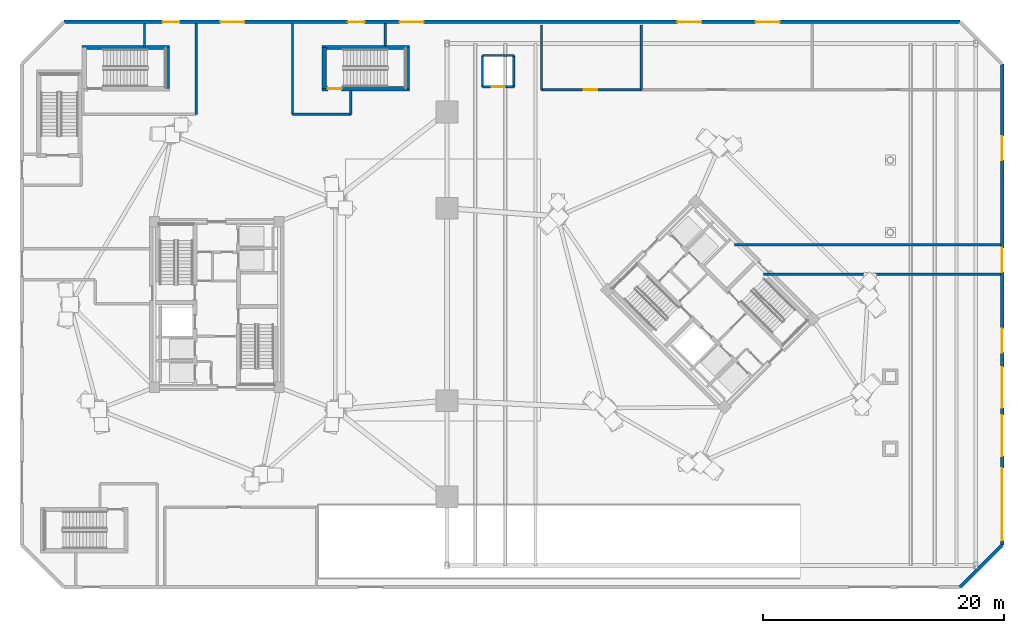
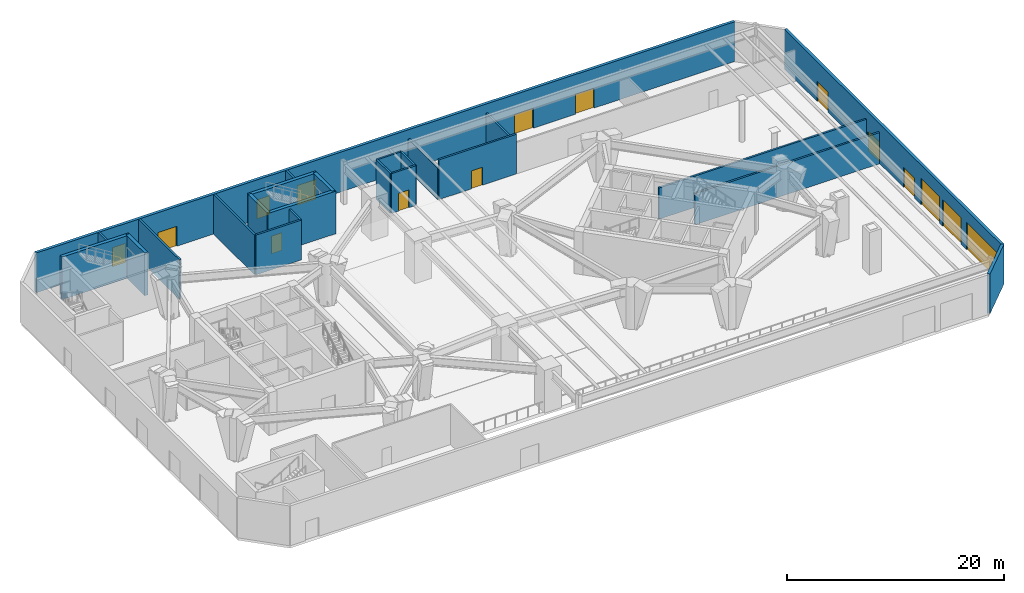
# One storey, part 9 of 17: 24 walls, 15 doors, 15 openings.
"""IFC4 building model written with IfcOpenShell, lengths in metres."""

from ifc_helpers import new_model, si_unit, direction, frame, frame_2d, origin, place, context, subcontext, project, spatial, rectangle, extrude, source, transform, mapped, material, layer, layer_set, type_object, element, fill, save


model = new_model("IFC4")

# Units and contexts
model_context = context("Model", 3, precision=1e-05, world=origin(), true_north=direction((0.0, 1.0)))
body_context = subcontext(model_context, "Body", "Model", "MODEL_VIEW")
ifc_project = project(units=[si_unit("LENGTHUNIT", "METRE"), si_unit("AREAUNIT", "SQUARE_METRE"), si_unit("VOLUMEUNIT", "CUBIC_METRE"), si_unit("PLANEANGLEUNIT", "RADIAN"), si_unit("MASSUNIT", "GRAM", prefix="KILO")], contexts=[model_context])

# Site, building, storey
site_placement = place(None, origin())
site = spatial("IfcSite", under=ifc_project, at=site_placement, CompositionType="ELEMENT")
building_placement = place(site_placement, origin())
building = spatial("IfcBuilding", under=site, at=building_placement, Name="Cununo Teusaquillo Station Towers", CompositionType="ELEMENT")
storey_placement = place(building_placement, origin())
storey = spatial("IfcBuildingStorey", under=building, at=storey_placement, Name="L00", CompositionType="ELEMENT", Elevation=0.0)

# Wall, opening, door
ifc_material_1 = material(Name="Concrete C50/60", Category="concrete")
ifc_layer_1 = layer(ifc_material_1, 0.35009765625)
ifc_layer_set_1 = layer_set([ifc_layer_1], Name="Concrete C50/60")
wall_type_1 = type_object("IfcWallType", Name="WL-CORE-350", PredefinedType="SHEAR", material=ifc_layer_set_1)
wall_1_placement = place(storey_placement, frame((25.260009765625, 42.43505859375, 0.0), z_axis=(0.0, 0.0, 1.0), x_axis=(1.0, 0.0, 0.0)))
wall_1 = element("IfcWall", 1, at=wall_1_placement, inside=storey, type_object=wall_type_1, Name="L00 Podium North Exit Stair Concrete Shaft Wall S", PredefinedType="SHEAR", context=body_context, shape_type="SweptSolid", body=[
    extrude(rectangle(XDim=7.280029296875, YDim=0.35009765625, at=frame_2d((3.64013671875, 0.0))), origin(), (0.0, 0.0, 1.0), 4.800048828125),
])
shared_shape_1 = source(origin(), body_context, "Body", "SweptSolid", [
    extrude(rectangle(XDim=1.14990234375, YDim=2.02001953125, at=frame_2d((0.574951171875, 1.010009765625))), frame((0.0, 0.18505859375, 0.0), z_axis=(0.0, -1.0, 0.0), x_axis=(1.0, 0.0, 0.0)), (0.0, 0.0, 1.0), 0.3701171875),
])
opening_1_placement = place(wall_1_placement, frame((0.47998046875, 0.0, 0.0)))
opening_1 = element("IfcOpeningElement", 2, at=opening_1_placement, cuts=wall_1, Name="Opening D-ST1", PredefinedType="OPENING", context=body_context, shape_type="MappedRepresentation", body=[
    mapped(shared_shape_1, transform((0.0, 0.0, 0.0), x_axis=(1.0, 0.0, 0.0), y_axis=(0.0, 1.0, 0.0), z_axis=(0.0, 0.0, 1.0), scale=1.0)),
])
ifc_material_2 = material(Name="Galvanised fire-rated hollow steel door assembly", Category="steel")
door_type_1 = type_object("IfcDoorType", Name="DR-STAIR-1150", OperationType="NOTDEFINED", PredefinedType="DOOR", material=ifc_material_2)
shared_shape_2 = source(origin(), body_context, "Body", "SweptSolid", [
    extrude(rectangle(XDim=1.14990234375, YDim=2.02001953125, at=frame_2d((0.574951171875, 1.010009765625))), frame((0.0, 0.02490234375, 0.0), z_axis=(0.0, -1.0, 0.0), x_axis=(1.0, 0.0, 0.0)), (0.0, 0.0, 1.0), 0.050048828125),
])
door_1_placement = place(opening_1_placement, origin())
door_1 = element("IfcDoor", 3, at=door_1_placement, inside=storey, type_object=door_type_1, Name="L00 North Podium Exit Stair Door", OperationType="SINGLE_SWING_LEFT", OverallHeight=2.02001953125, OverallWidth=1.14990234375, PredefinedType="DOOR", context=body_context, shape_type="MappedRepresentation", body=[
    mapped(shared_shape_2, transform((0.0, 0.0, 0.0), x_axis=(1.0, 0.0, 0.0), y_axis=(0.0, 1.0, 0.0), z_axis=(0.0, 0.0, 1.0), scale=1.0)),
])
fill(opening_1, door_1)

# Walls
wall_2_placement = place(storey_placement, frame((25.260009765625, 45.864990234375, 0.0), z_axis=(0.0, 0.0, 1.0), x_axis=(1.0, 0.0, 0.0)))
element("IfcWall", 4, at=wall_2_placement, inside=storey, type_object=wall_type_1, Name="L00 Podium North Exit Stair Concrete Shaft Wall N", PredefinedType="SHEAR", context=body_context, shape_type="SweptSolid", body=[
    extrude(rectangle(XDim=7.280029296875, YDim=0.35009765625, at=frame_2d((3.64013671875, 0.0))), origin(), (0.0, 0.0, 1.0), 4.800048828125),
])
for number, where, z_axis, x_axis, name in (
    (5, (25.43505859375, 42.43505859375, 0.0), (0.0, 0.0, 1.0), (0.0, 1.0, 0.0), "L00 Podium North Exit Stair Concrete Shaft Wall W"),
    (6, (32.364990234375, 42.43505859375, 0.0), (0.0, 0.0, 1.0), (0.0, 1.0, 0.0), "L00 Podium North Exit Stair Concrete Shaft Wall E"),
):
    element("IfcWall", number, at=place(storey_placement, frame(where, z_axis=z_axis, x_axis=x_axis)), inside=storey, type_object=wall_type_1, Name=name, PredefinedType="SHEAR", context=body_context, shape_type="SweptSolid", body=[
        extrude(rectangle(XDim=3.429931640625, YDim=0.35009765625, at=frame_2d((1.71484375, 0.0))), origin(), (0.0, 0.0, 1.0), 4.800048828125),
    ])
wall_3_placement = place(storey_placement, frame((5.31005859375, 45.864990234375, 0.0), z_axis=(0.0, 0.0, 1.0), x_axis=(1.0, 0.0, 0.0)))
element("IfcWall", 7, at=wall_3_placement, inside=storey, type_object=wall_type_1, Name="L00 Podium North-West Exit Stair Concrete Shaft Wall N", PredefinedType="SHEAR", context=body_context, shape_type="SweptSolid", body=[
    extrude(rectangle(XDim=7.280029296875, YDim=0.35009765625, at=frame_2d((3.64013671875, 0.0))), origin(), (0.0, 0.0, 1.0), 4.800048828125),
])
wall_4_placement = place(storey_placement, frame((12.4150390625, 42.43505859375, 0.0), z_axis=(0.0, 0.0, 1.0), x_axis=(0.0, 1.0, 0.0)))
element("IfcWall", 8, at=wall_4_placement, inside=storey, type_object=wall_type_1, Name="L00 Podium North-West Exit Stair Concrete Shaft Wall E", PredefinedType="SHEAR", context=body_context, shape_type="SweptSolid", body=[
    extrude(rectangle(XDim=3.429931640625, YDim=0.35009765625, at=frame_2d((1.71484375, 0.0))), origin(), (0.0, 0.0, 1.0), 4.800048828125),
])

# Wall, openings, doors
ifc_material_3 = material(Name="Precast concrete C40/50", Category="concrete")
ifc_layer_2 = layer(ifc_material_3, 0.300048828125)
ifc_layer_set_2 = layer_set([ifc_layer_2], Name="Precast concrete C40/50")
wall_type_2 = type_object("IfcWallType", Name="WL-EXT-300", PredefinedType="SOLIDWALL", material=ifc_layer_set_2)
wall_5_placement = place(storey_placement, frame((3.800048828125, 48.0, 0.0), z_axis=(0.0, 0.0, 1.0), x_axis=(1.0, 0.0, 0.0)))
wall_5 = element("IfcWall", 9, at=wall_5_placement, inside=storey, type_object=wall_type_2, Name="L00 Station Podium Facade Wall 3", PredefinedType="SOLIDWALL", context=body_context, shape_type="SweptSolid", body=[
    extrude(rectangle(XDim=74.5, YDim=0.300048828125, at=frame_2d((37.25, 0.0))), origin(), (0.0, 0.0, 1.0), 4.485107421875),
])
shared_shape_3 = source(origin(), body_context, "Body", "SweptSolid", [
    extrude(rectangle(XDim=1.39990234375, YDim=2.14990234375, at=frame_2d((0.699951171875, 1.074951171875))), frame((0.0, 0.159912109375, 0.0), z_axis=(0.0, -1.0, 0.0), x_axis=(1.0, 0.0, 0.0)), (0.0, 0.0, 1.0), 0.320068359375),
])
opening_2_placement = place(wall_5_placement, frame((8.199951171875, 0.0, 0.0)))
opening_2 = element("IfcOpeningElement", 10, at=opening_2_placement, cuts=wall_5, Name="Opening ED-02", PredefinedType="OPENING", context=body_context, shape_type="MappedRepresentation", body=[
    mapped(shared_shape_3, transform((0.0, 0.0, 0.0), x_axis=(1.0, 0.0, 0.0), y_axis=(0.0, 1.0, 0.0), z_axis=(0.0, 0.0, 1.0), scale=1.0)),
])
shared_shape_4 = source(origin(), body_context, "Body", "SweptSolid", [
    extrude(rectangle(XDim=2.0, YDim=2.25, at=frame_2d((1.0, 1.125))), frame((0.0, 0.159912109375, 0.0), z_axis=(0.0, -1.0, 0.0), x_axis=(1.0, 0.0, 0.0)), (0.0, 0.0, 1.0), 0.320068359375),
])
opening_3_placement = place(wall_5_placement, frame((13.0, 0.0, 0.0)))
opening_3 = element("IfcOpeningElement", 11, at=opening_3_placement, cuts=wall_5, Name="Opening ED-01", PredefinedType="OPENING", context=body_context, shape_type="MappedRepresentation", body=[
    mapped(shared_shape_4, transform((0.0, 0.0, 0.0), x_axis=(1.0, 0.0, 0.0), y_axis=(0.0, 1.0, 0.0), z_axis=(0.0, 0.0, 1.0), scale=1.0)),
])
opening_4_placement = place(wall_5_placement, frame((23.60009765625, 0.0, 0.0)))
opening_4 = element("IfcOpeningElement", 12, at=opening_4_placement, cuts=wall_5, Name="Opening ED-02", PredefinedType="OPENING", context=body_context, shape_type="MappedRepresentation", body=[
    mapped(shared_shape_3, transform((0.0, 0.0, 0.0), x_axis=(1.0, 0.0, 0.0), y_axis=(0.0, 1.0, 0.0), z_axis=(0.0, 0.0, 1.0), scale=1.0)),
])
opening_5_placement = place(wall_5_placement, frame((27.89990234375, 0.0, 0.0)))
opening_5 = element("IfcOpeningElement", 13, at=opening_5_placement, cuts=wall_5, Name="Opening ED-01", PredefinedType="OPENING", context=body_context, shape_type="MappedRepresentation", body=[
    mapped(shared_shape_4, transform((0.0, 0.0, 0.0), x_axis=(1.0, 0.0, 0.0), y_axis=(0.0, 1.0, 0.0), z_axis=(0.0, 0.0, 1.0), scale=1.0)),
])
opening_6_placement = place(wall_5_placement, frame((51.0, 0.0, 0.0)))
opening_6 = element("IfcOpeningElement", 14, at=opening_6_placement, cuts=wall_5, Name="Opening ED-01", PredefinedType="OPENING", context=body_context, shape_type="MappedRepresentation", body=[
    mapped(shared_shape_4, transform((0.0, 0.0, 0.0), x_axis=(1.0, 0.0, 0.0), y_axis=(0.0, 1.0, 0.0), z_axis=(0.0, 0.0, 1.0), scale=1.0)),
])
opening_7_placement = place(wall_5_placement, frame((57.5, 0.0, 0.0)))
opening_7 = element("IfcOpeningElement", 15, at=opening_7_placement, cuts=wall_5, Name="Opening ED-01", PredefinedType="OPENING", context=body_context, shape_type="MappedRepresentation", body=[
    mapped(shared_shape_4, transform((0.0, 0.0, 0.0), x_axis=(1.0, 0.0, 0.0), y_axis=(0.0, 1.0, 0.0), z_axis=(0.0, 0.0, 1.0), scale=1.0)),
])
ifc_material_4 = material(Name="Galvanised fire-rated hollow steel door assembly", Category="steel")
door_type_2 = type_object("IfcDoorType", Name="DR-EXT-STAIR", OperationType="NOTDEFINED", PredefinedType="DOOR", material=ifc_material_4)
shared_shape_5 = source(origin(), body_context, "Body", "SweptSolid", [
    extrude(rectangle(XDim=1.39990234375, YDim=2.14990234375, at=frame_2d((0.699951171875, 1.074951171875))), frame((0.0, 0.02490234375, 0.0), z_axis=(0.0, -1.0, 0.0), x_axis=(1.0, 0.0, 0.0)), (0.0, 0.0, 1.0), 0.050048828125),
])
door_2_placement = place(opening_2_placement, origin())
door_2 = element("IfcDoor", 16, at=door_2_placement, inside=storey, type_object=door_type_2, Name="L00 North-West Protected Exit Passage Final Discharge Door", OperationType="SINGLE_SWING_LEFT", OverallHeight=2.14990234375, OverallWidth=1.39990234375, PredefinedType="DOOR", context=body_context, shape_type="MappedRepresentation", body=[
    mapped(shared_shape_5, transform((0.0, 0.0, 0.0), x_axis=(1.0, 0.0, 0.0), y_axis=(0.0, 1.0, 0.0), z_axis=(0.0, 0.0, 1.0), scale=1.0)),
])
fill(opening_2, door_2)
door_3_placement = place(opening_4_placement, origin())
door_3 = element("IfcDoor", 17, at=door_3_placement, inside=storey, type_object=door_type_2, Name="L00 North Protected Exit Passage Final Discharge Door", OperationType="SINGLE_SWING_LEFT", OverallHeight=2.14990234375, OverallWidth=1.39990234375, PredefinedType="DOOR", context=body_context, shape_type="MappedRepresentation", body=[
    mapped(shared_shape_5, transform((0.0, 0.0, 0.0), x_axis=(1.0, 0.0, 0.0), y_axis=(0.0, 1.0, 0.0), z_axis=(0.0, 0.0, 1.0), scale=1.0)),
])
fill(opening_4, door_3)
ifc_material_5 = material(Name="Anodised dark bronze aluminium EN AW-6063-T6", Category="aluminium")
door_type_3 = type_object("IfcDoorType", Name="DR-EXT-EXIT", OperationType="DOUBLE_DOOR_SINGLE_SWING", PredefinedType="DOOR", material=ifc_material_5)
shared_shape_6 = source(origin(), body_context, "Body", "SweptSolid", [
    extrude(rectangle(XDim=2.0, YDim=2.25, at=frame_2d((1.0, 1.125))), frame((0.0, 0.02490234375, 0.0), z_axis=(0.0, -1.0, 0.0), x_axis=(1.0, 0.0, 0.0)), (0.0, 0.0, 1.0), 0.050048828125),
])
door_4_placement = place(opening_3_placement, origin())
door_4 = element("IfcDoor", 18, at=door_4_placement, inside=storey, type_object=door_type_3, Name="L00 North Ticket Hall Main Entrance 1", OperationType="DOUBLE_DOOR_SINGLE_SWING", OverallHeight=2.25, OverallWidth=2.0, PredefinedType="DOOR", context=body_context, shape_type="MappedRepresentation", body=[
    mapped(shared_shape_6, transform((0.0, 0.0, 0.0), x_axis=(1.0, 0.0, 0.0), y_axis=(0.0, 1.0, 0.0), z_axis=(0.0, 0.0, 1.0), scale=1.0)),
])
fill(opening_3, door_4)
door_5_placement = place(opening_5_placement, origin())
door_5 = element("IfcDoor", 19, at=door_5_placement, inside=storey, type_object=door_type_3, Name="L00 North Ticket Hall Main Entrance 2", OperationType="DOUBLE_DOOR_SINGLE_SWING", OverallHeight=2.25, OverallWidth=2.0, PredefinedType="DOOR", context=body_context, shape_type="MappedRepresentation", body=[
    mapped(shared_shape_6, transform((0.0, 0.0, 0.0), x_axis=(1.0, 0.0, 0.0), y_axis=(0.0, 1.0, 0.0), z_axis=(0.0, 0.0, 1.0), scale=1.0)),
])
fill(opening_5, door_5)
door_6_placement = place(opening_6_placement, origin())
door_6 = element("IfcDoor", 20, at=door_6_placement, inside=storey, type_object=door_type_3, Name="L00 North-East Transit Foyer Entrance 1", OperationType="DOUBLE_DOOR_SINGLE_SWING", OverallHeight=2.25, OverallWidth=2.0, PredefinedType="DOOR", context=body_context, shape_type="MappedRepresentation", body=[
    mapped(shared_shape_6, transform((0.0, 0.0, 0.0), x_axis=(1.0, 0.0, 0.0), y_axis=(0.0, 1.0, 0.0), z_axis=(0.0, 0.0, 1.0), scale=1.0)),
])
fill(opening_6, door_6)
door_7_placement = place(opening_7_placement, origin())
door_7 = element("IfcDoor", 21, at=door_7_placement, inside=storey, type_object=door_type_3, Name="L00 North-East Transit Foyer Entrance 2", OperationType="DOUBLE_DOOR_SINGLE_SWING", OverallHeight=2.25, OverallWidth=2.0, PredefinedType="DOOR", context=body_context, shape_type="MappedRepresentation", body=[
    mapped(shared_shape_6, transform((0.0, 0.0, 0.0), x_axis=(1.0, 0.0, 0.0), y_axis=(0.0, 1.0, 0.0), z_axis=(0.0, 0.0, 1.0), scale=1.0)),
])
fill(opening_7, door_7)

wall_6_placement = place(storey_placement, frame((81.800048828125, 44.5, 0.0), z_axis=(0.0, 0.0, 1.0), x_axis=(0.0, -1.0, 0.0)))
wall_6 = element("IfcWall", 22, at=wall_6_placement, inside=storey, type_object=wall_type_2, Name="L00 Station Podium Facade Wall 5", PredefinedType="SOLIDWALL", context=body_context, shape_type="SweptSolid", body=[
    extrude(rectangle(XDim=40.0, YDim=0.300048828125, at=frame_2d((20.0, 0.0))), origin(), (0.0, 0.0, 1.0), 4.485107421875),
])
shared_shape_7 = source(origin(), body_context, "Body", "SweptSolid", [
    extrude(rectangle(XDim=6.0, YDim=3.10009765625, at=frame_2d((3.0, 1.550048828125))), frame((0.0, 0.159912109375, 0.0), z_axis=(0.0, -1.0, 0.0), x_axis=(1.0, 0.0, 0.0)), (0.0, 0.0, 1.0), 0.320068359375),
])
opening_8_placement = place(wall_6_placement, frame((33.60009765625, 0.0, 0.0)))
opening_8 = element("IfcOpeningElement", 23, at=opening_8_placement, cuts=wall_6, Name="Opening VG-01", PredefinedType="OPENING", context=body_context, shape_type="MappedRepresentation", body=[
    mapped(shared_shape_7, transform((0.0, 0.0, 0.0), x_axis=(1.0, 0.0, 0.0), y_axis=(0.0, 1.0, 0.0), z_axis=(0.0, 0.0, 1.0), scale=1.0)),
])
shared_shape_8 = source(origin(), body_context, "Body", "SweptSolid", [
    extrude(rectangle(XDim=3.39990234375, YDim=3.0, at=frame_2d((1.699951171875, 1.5))), frame((0.0, 0.159912109375, 0.0), z_axis=(0.0, -1.0, 0.0), x_axis=(1.0, 0.0, 0.0)), (0.0, 0.0, 1.0), 0.320068359375),
])
opening_9_placement = place(wall_6_placement, frame((25.199951171875, 0.0, 0.0)))
opening_9 = element("IfcOpeningElement", 24, at=opening_9_placement, cuts=wall_6, Name="Opening VG-02", PredefinedType="OPENING", context=body_context, shape_type="MappedRepresentation", body=[
    mapped(shared_shape_8, transform((0.0, 0.0, 0.0), x_axis=(1.0, 0.0, 0.0), y_axis=(0.0, 1.0, 0.0), z_axis=(0.0, 0.0, 1.0), scale=1.0)),
])
opening_10_placement = place(wall_6_placement, frame((29.199951171875, 0.0, 0.0)))
opening_10 = element("IfcOpeningElement", 25, at=opening_10_placement, cuts=wall_6, Name="Opening VG-02", PredefinedType="OPENING", context=body_context, shape_type="MappedRepresentation", body=[
    mapped(shared_shape_8, transform((0.0, 0.0, 0.0), x_axis=(1.0, 0.0, 0.0), y_axis=(0.0, 1.0, 0.0), z_axis=(0.0, 0.0, 1.0), scale=1.0)),
])
opening_11_placement = place(wall_6_placement, frame((6.0, 0.0, 0.0)))
opening_11 = element("IfcOpeningElement", 26, at=opening_11_placement, cuts=wall_6, Name="Opening ED-01", PredefinedType="OPENING", context=body_context, shape_type="MappedRepresentation", body=[
    mapped(shared_shape_4, transform((0.0, 0.0, 0.0), x_axis=(1.0, 0.0, 0.0), y_axis=(0.0, 1.0, 0.0), z_axis=(0.0, 0.0, 1.0), scale=1.0)),
])
opening_12_placement = place(wall_6_placement, frame((15.300048828125, 0.0, 0.0)))
opening_12 = element("IfcOpeningElement", 27, at=opening_12_placement, cuts=wall_6, Name="Opening ED-01", PredefinedType="OPENING", context=body_context, shape_type="MappedRepresentation", body=[
    mapped(shared_shape_4, transform((0.0, 0.0, 0.0), x_axis=(1.0, 0.0, 0.0), y_axis=(0.0, 1.0, 0.0), z_axis=(0.0, 0.0, 1.0), scale=1.0)),
])
opening_13_placement = place(wall_6_placement, frame((22.0, 0.0, 0.0)))
opening_13 = element("IfcOpeningElement", 28, at=opening_13_placement, cuts=wall_6, Name="Opening ED-01", PredefinedType="OPENING", context=body_context, shape_type="MappedRepresentation", body=[
    mapped(shared_shape_4, transform((0.0, 0.0, 0.0), x_axis=(1.0, 0.0, 0.0), y_axis=(0.0, 1.0, 0.0), z_axis=(0.0, 0.0, 1.0), scale=1.0)),
])
door_8_placement = place(opening_11_placement, origin())
door_8 = element("IfcDoor", 29, at=door_8_placement, inside=storey, type_object=door_type_3, Name="L00 Tower B East Arrival Exit Door 1", OperationType="DOUBLE_DOOR_SINGLE_SWING", OverallHeight=2.25, OverallWidth=2.0, PredefinedType="DOOR", context=body_context, shape_type="MappedRepresentation", body=[
    mapped(shared_shape_6, transform((0.0, 0.0, 0.0), x_axis=(1.0, 0.0, 0.0), y_axis=(0.0, 1.0, 0.0), z_axis=(0.0, 0.0, 1.0), scale=1.0)),
])
fill(opening_11, door_8)
door_9_placement = place(opening_12_placement, origin())
door_9 = element("IfcDoor", 30, at=door_9_placement, inside=storey, type_object=door_type_3, Name="L00 Tower B East Arrival Exit Door 2", OperationType="DOUBLE_DOOR_SINGLE_SWING", OverallHeight=2.25, OverallWidth=2.0, PredefinedType="DOOR", context=body_context, shape_type="MappedRepresentation", body=[
    mapped(shared_shape_6, transform((0.0, 0.0, 0.0), x_axis=(1.0, 0.0, 0.0), y_axis=(0.0, 1.0, 0.0), z_axis=(0.0, 0.0, 1.0), scale=1.0)),
])
fill(opening_12, door_9)
door_10_placement = place(opening_13_placement, origin())
door_10 = element("IfcDoor", 31, at=door_10_placement, inside=storey, type_object=door_type_3, Name="L00 Tower B East Arrival Exit Door 3", OperationType="DOUBLE_DOOR_SINGLE_SWING", OverallHeight=2.25, OverallWidth=2.0, PredefinedType="DOOR", context=body_context, shape_type="MappedRepresentation", body=[
    mapped(shared_shape_6, transform((0.0, 0.0, 0.0), x_axis=(1.0, 0.0, 0.0), y_axis=(0.0, 1.0, 0.0), z_axis=(0.0, 0.0, 1.0), scale=1.0)),
])
fill(opening_13, door_10)
ifc_material_6 = material(Name="Galvanised fire-rated hollow steel door assembly", Category="steel")
door_type_4 = type_object("IfcDoorType", Name="DR-GATE-LOAD", OperationType="ROLLINGUP", PredefinedType="GATE", material=ifc_material_6)
shared_shape_9 = source(origin(), body_context, "Body", "SweptSolid", [
    extrude(rectangle(XDim=3.39990234375, YDim=3.0, at=frame_2d((1.699951171875, 1.5))), frame((0.0, 0.02490234375, 0.0), z_axis=(0.0, -1.0, 0.0), x_axis=(1.0, 0.0, 0.0)), (0.0, 0.0, 1.0), 0.050048828125),
])
door_11_placement = place(opening_9_placement, origin())
door_11 = element("IfcDoor", 32, at=door_11_placement, inside=storey, type_object=door_type_4, Name="L00 East Service Bay Shutter Gate 1", OperationType="ROLLINGUP", OverallHeight=3.0, OverallWidth=3.39990234375, PredefinedType="GATE", context=body_context, shape_type="MappedRepresentation", body=[
    mapped(shared_shape_9, transform((0.0, 0.0, 0.0), x_axis=(1.0, 0.0, 0.0), y_axis=(0.0, 1.0, 0.0), z_axis=(0.0, 0.0, 1.0), scale=1.0)),
])
fill(opening_9, door_11)
door_12_placement = place(opening_10_placement, origin())
door_12 = element("IfcDoor", 33, at=door_12_placement, inside=storey, type_object=door_type_4, Name="L00 East Service Bay Shutter Gate 2", OperationType="ROLLINGUP", OverallHeight=3.0, OverallWidth=3.39990234375, PredefinedType="GATE", context=body_context, shape_type="MappedRepresentation", body=[
    mapped(shared_shape_9, transform((0.0, 0.0, 0.0), x_axis=(1.0, 0.0, 0.0), y_axis=(0.0, 1.0, 0.0), z_axis=(0.0, 0.0, 1.0), scale=1.0)),
])
fill(opening_10, door_12)
ifc_material_7 = material(Name="Galvanised fire-rated hollow steel door assembly", Category="steel")
door_type_5 = type_object("IfcDoorType", Name="DR-GATE-RAMP", OperationType="ROLLINGUP", PredefinedType="GATE", material=ifc_material_7)
shared_shape_10 = source(origin(), body_context, "Body", "SweptSolid", [
    extrude(rectangle(XDim=6.0, YDim=3.10009765625, at=frame_2d((3.0, 1.550048828125))), frame((0.0, 0.02490234375, 0.0), z_axis=(0.0, -1.0, 0.0), x_axis=(1.0, 0.0, 0.0)), (0.0, 0.0, 1.0), 0.050048828125),
])
door_13_placement = place(opening_8_placement, origin())
door_13 = element("IfcDoor", 34, at=door_13_placement, inside=storey, type_object=door_type_5, Name="L00 Car Park Vehicle Ramp Roller Shutter Gate VG-01", OperationType="ROLLINGUP", OverallHeight=3.10009765625, OverallWidth=6.0, PredefinedType="GATE", context=body_context, shape_type="MappedRepresentation", body=[
    mapped(shared_shape_10, transform((0.0, 0.0, 0.0), x_axis=(1.0, 0.0, 0.0), y_axis=(0.0, 1.0, 0.0), z_axis=(0.0, 0.0, 1.0), scale=1.0)),
])
fill(opening_8, door_13)

# Wall
wall_7_placement = place(storey_placement, frame((81.800048828125, 4.5, 0.0), z_axis=(0.0, 0.0, 1.0), x_axis=(-0.707106781187, -0.707106781187, 0.0)))
element("IfcWall", 35, at=wall_7_placement, inside=storey, type_object=wall_type_2, Name="L00 Station Podium Facade Wall 6", PredefinedType="SOLIDWALL", context=body_context, shape_type="SweptSolid", body=[
    extrude(rectangle(XDim=4.94970703125, YDim=0.300048828125, at=frame_2d((2.474853515625, 0.0))), origin(), (0.0, 0.0, 1.0), 4.485107421875),
])

# Wall, opening, door
ifc_material_8 = material(Name="Fire-rated gypsum plasterboard partition assembly", Category="gypsum")
ifc_layer_3 = layer(ifc_material_8, 0.199951171875)
ifc_layer_set_3 = layer_set([ifc_layer_3], Name="Fire-rated gypsum plasterboard partition assembly")
wall_type_3 = type_object("IfcWallType", Name="WL-PART-200", PredefinedType="PARTITIONING", material=ifc_layer_set_3)
wall_8_placement = place(storey_placement, frame((38.60009765625, 42.60009765625, 0.0), z_axis=(0.0, 0.0, 1.0), x_axis=(1.0, 0.0, 0.0)))
wall_8 = element("IfcWall", 36, at=wall_8_placement, inside=storey, type_object=wall_type_3, Name="L00 Podium Lift Shaft Enclosure Wall S", PredefinedType="PARTITIONING", context=body_context, shape_type="SweptSolid", body=[
    extrude(rectangle(XDim=2.599853515625, YDim=0.199951171875, at=frame_2d((1.2998046875, 0.0))), origin(), (0.0, 0.0, 1.0), 4.485107421875),
])
shared_shape_11 = source(origin(), body_context, "Body", "SweptSolid", [
    extrude(rectangle(XDim=1.10009765625, YDim=2.014892578125, at=frame_2d((0.550048828125, 1.00732421875))), frame((0.0, 0.10986328125, 0.0), z_axis=(0.0, -1.0, 0.0), x_axis=(1.0, 0.0, 0.0)), (0.0, 0.0, 1.0), 0.219970703125),
])
opening_14_placement = place(wall_8_placement, frame((0.75, 0.0, 0.0)))
opening_14 = element("IfcOpeningElement", 37, at=opening_14_placement, cuts=wall_8, Name="Opening LD-01", PredefinedType="OPENING", context=body_context, shape_type="MappedRepresentation", body=[
    mapped(shared_shape_11, transform((0.0, 0.0, 0.0), x_axis=(1.0, 0.0, 0.0), y_axis=(0.0, 1.0, 0.0), z_axis=(0.0, 0.0, 1.0), scale=1.0)),
])
ifc_material_9 = material(Name="Galvanised fire-rated hollow steel door assembly", Category="steel")
door_type_6 = type_object("IfcDoorType", Name="DR-LIFT-1100", OperationType="SLIDING_TO_LEFT", PredefinedType="DOOR", material=ifc_material_9)
shared_shape_12 = source(origin(), body_context, "Body", "SweptSolid", [
    extrude(rectangle(XDim=1.10009765625, YDim=2.014892578125, at=frame_2d((0.550048828125, 1.00732421875))), frame((0.0, 0.02490234375, 0.0), z_axis=(0.0, -1.0, 0.0), x_axis=(1.0, 0.0, 0.0)), (0.0, 0.0, 1.0), 0.050048828125),
])
door_14_placement = place(opening_14_placement, origin())
door_14 = element("IfcDoor", 38, at=door_14_placement, inside=storey, type_object=door_type_6, Name="L00 Lift PL-POD1 Sliding Landing Door", OperationType="SLIDING_TO_LEFT", OverallHeight=2.014892578125, OverallWidth=1.10009765625, PredefinedType="DOOR", context=body_context, shape_type="MappedRepresentation", body=[
    mapped(shared_shape_12, transform((0.0, 0.0, 0.0), x_axis=(1.0, 0.0, 0.0), y_axis=(0.0, 1.0, 0.0), z_axis=(0.0, 0.0, 1.0), scale=1.0)),
])
fill(opening_14, door_14)

# Walls
for number, where, z_axis, x_axis, name in (
    (39, (38.60009765625, 45.199951171875, 0.0), (0.0, 0.0, 1.0), (1.0, 0.0, 0.0), "L00 Podium Lift Shaft Enclosure Wall N"),
    (40, (38.60009765625, 42.60009765625, 0.0), (0.0, 0.0, 1.0), (0.0, 1.0, 0.0), "L00 Podium Lift Shaft Enclosure Wall W"),
    (41, (41.199951171875, 42.60009765625, 0.0), (0.0, 0.0, 1.0), (0.0, 1.0, 0.0), "L00 Podium Lift Shaft Enclosure Wall E"),
):
    element("IfcWall", number, at=place(storey_placement, frame(where, z_axis=z_axis, x_axis=x_axis)), inside=storey, type_object=wall_type_3, Name=name, PredefinedType="PARTITIONING", context=body_context, shape_type="SweptSolid", body=[
        extrude(rectangle(XDim=2.599853515625, YDim=0.199951171875, at=frame_2d((1.2998046875, 0.0))), origin(), (0.0, 0.0, 1.0), 4.485107421875),
    ])
wall_9_placement = place(storey_placement, frame((22.800048828125, 40.300048828125, 0.0), z_axis=(0.0, 0.0, 1.0), x_axis=(1.0, 0.0, 0.0)))
element("IfcWall", 42, at=wall_9_placement, inside=storey, type_object=wall_type_3, Name="L00 North Exit Passageway South Fire Wall", PredefinedType="PARTITIONING", context=body_context, shape_type="SweptSolid", body=[
    extrude(rectangle(XDim=4.849853515625, YDim=0.199951171875, at=frame_2d((2.4248046875, 0.0))), origin(), (0.0, 0.0, 1.0), 4.485107421875),
])
wall_10_placement = place(storey_placement, frame((22.800048828125, 40.300048828125, 0.0), z_axis=(0.0, 0.0, 1.0), x_axis=(0.0, 1.0, 0.0)))
element("IfcWall", 43, at=wall_10_placement, inside=storey, type_object=wall_type_3, Name="L00 North Exit Passageway West Fire Wall", PredefinedType="PARTITIONING", context=body_context, shape_type="SweptSolid", body=[
    extrude(rectangle(XDim=7.550048828125, YDim=0.199951171875, at=frame_2d((3.77490234375, 0.0))), origin(), (0.0, 0.0, 1.0), 4.485107421875),
])
wall_11_placement = place(storey_placement, frame((27.64990234375, 40.300048828125, 0.0), z_axis=(0.0, 0.0, 1.0), x_axis=(0.0, 1.0, 0.0)))
element("IfcWall", 44, at=wall_11_placement, inside=storey, type_object=wall_type_3, Name="L00 North Exit Passageway Lower Return Wall", PredefinedType="PARTITIONING", context=body_context, shape_type="SweptSolid", body=[
    extrude(rectangle(XDim=2.0, YDim=0.199951171875, at=frame_2d((1.0, 0.0))), origin(), (0.0, 0.0, 1.0), 4.485107421875),
])
wall_12_placement = place(storey_placement, frame((30.5, 46.0, 0.0), z_axis=(0.0, 0.0, 1.0), x_axis=(0.0, 1.0, 0.0)))
element("IfcWall", 45, at=wall_12_placement, inside=storey, type_object=wall_type_3, Name="L00 North Exit Passageway Upper Return Wall", PredefinedType="PARTITIONING", context=body_context, shape_type="SweptSolid", body=[
    extrude(rectangle(XDim=1.85009765625, YDim=0.199951171875, at=frame_2d((0.925048828125, 0.0))), origin(), (0.0, 0.0, 1.0), 4.485107421875),
])
wall_13_placement = place(storey_placement, frame((59.550048828125, 29.449951171875, 0.0), z_axis=(0.0, 0.0, 1.0), x_axis=(1.0, 0.0, 0.0)))
element("IfcWall", 46, at=wall_13_placement, inside=storey, type_object=wall_type_3, Name="L00 Tower B East Exit Passageway North Fire Wall", PredefinedType="PARTITIONING", context=body_context, shape_type="SweptSolid", body=[
    extrude(rectangle(XDim=22.099853515625, YDim=0.199951171875, at=frame_2d((11.0498046875, 0.0))), origin(), (0.0, 0.0, 1.0), 3.529052734375),
])
wall_14_placement = place(storey_placement, frame((61.949951171875, 27.0, 0.0), z_axis=(0.0, 0.0, 1.0), x_axis=(1.0, 0.0, 0.0)))
element("IfcWall", 47, at=wall_14_placement, inside=storey, type_object=wall_type_3, Name="L00 Tower B East Exit Passageway South Fire Wall", PredefinedType="PARTITIONING", context=body_context, shape_type="SweptSolid", body=[
    extrude(rectangle(XDim=19.699951171875, YDim=0.199951171875, at=frame_2d((9.85009765625, 0.0))), origin(), (0.0, 0.0, 1.0), 3.529052734375),
])
wall_15_placement = place(storey_placement, frame((14.800048828125, 40.300048828125, 0.0), z_axis=(0.0, 0.0, 1.0), x_axis=(0.0, 1.0, 0.0)))
element("IfcWall", 48, at=wall_15_placement, inside=storey, type_object=wall_type_3, Name="L00 North-West Exit Passageway East Fire Wall", PredefinedType="PARTITIONING", context=body_context, shape_type="SweptSolid", body=[
    extrude(rectangle(XDim=7.550048828125, YDim=0.199951171875, at=frame_2d((3.77490234375, 0.0))), origin(), (0.0, 0.0, 1.0), 4.485107421875),
])
wall_16_placement = place(storey_placement, frame((10.5, 45.860107421875, 0.0), z_axis=(0.0, 0.0, 1.0), x_axis=(0.0, 1.0, 0.0)))
element("IfcWall", 49, at=wall_16_placement, inside=storey, type_object=wall_type_3, Name="L00 North-West Exit Passageway Upper Return Wall", PredefinedType="PARTITIONING", context=body_context, shape_type="SweptSolid", body=[
    extrude(rectangle(XDim=1.989990234375, YDim=0.199951171875, at=frame_2d((0.9951171875, 0.0))), origin(), (0.0, 0.0, 1.0), 4.485107421875),
])
wall_17_placement = place(storey_placement, frame((43.5, 42.35009765625, 0.0), z_axis=(0.0, 0.0, 1.0), x_axis=(0.0, 1.0, 0.0)))
element("IfcWall", 50, at=wall_17_placement, inside=storey, type_object=wall_type_3, Name="L00 Fire Command Centre West Rated Wall", PredefinedType="PARTITIONING", context=body_context, shape_type="SweptSolid", body=[
    extrude(rectangle(XDim=5.39990234375, YDim=0.199951171875, at=frame_2d((2.699951171875, 0.0))), origin(), (0.0, 0.0, 1.0), 3.529052734375),
])

# Wall, opening, door
wall_18_placement = place(storey_placement, frame((43.5, 42.35009765625, 0.0), z_axis=(0.0, 0.0, 1.0), x_axis=(1.0, 0.0, 0.0)))
wall_18 = element("IfcWall", 51, at=wall_18_placement, inside=storey, type_object=wall_type_3, Name="L00 Fire Command Centre South Rated Wall", PredefinedType="PARTITIONING", context=body_context, shape_type="SweptSolid", body=[
    extrude(rectangle(XDim=8.300048828125, YDim=0.199951171875, at=frame_2d((4.14990234375, 0.0))), origin(), (0.0, 0.0, 1.0), 4.485107421875),
])
shared_shape_13 = source(origin(), body_context, "Body", "SweptSolid", [
    extrude(rectangle(XDim=1.14990234375, YDim=2.02001953125, at=frame_2d((0.574951171875, 1.010009765625))), frame((0.0, 0.10986328125, 0.0), z_axis=(0.0, -1.0, 0.0), x_axis=(1.0, 0.0, 0.0)), (0.0, 0.0, 1.0), 0.219970703125),
])
opening_15_placement = place(wall_18_placement, frame((3.5, 0.0, 0.0)))
opening_15 = element("IfcOpeningElement", 52, at=opening_15_placement, cuts=wall_18, Name="Opening D-ST1", PredefinedType="OPENING", context=body_context, shape_type="MappedRepresentation", body=[
    mapped(shared_shape_13, transform((0.0, 0.0, 0.0), x_axis=(1.0, 0.0, 0.0), y_axis=(0.0, 1.0, 0.0), z_axis=(0.0, 0.0, 1.0), scale=1.0)),
])
door_15_placement = place(opening_15_placement, origin())
door_15 = element("IfcDoor", 53, at=door_15_placement, inside=storey, type_object=door_type_1, Name="Fire Command Centre & Emergency Control Door", OperationType="SINGLE_SWING_RIGHT", OverallHeight=2.02001953125, OverallWidth=1.14990234375, PredefinedType="DOOR", context=body_context, shape_type="MappedRepresentation", body=[
    mapped(shared_shape_2, transform((0.0, 0.0, 0.0), x_axis=(1.0, 0.0, 0.0), y_axis=(0.0, 1.0, 0.0), z_axis=(0.0, 0.0, 1.0), scale=1.0)),
])
fill(opening_15, door_15)

# Wall
wall_19_placement = place(storey_placement, frame((51.800048828125, 42.35009765625, 0.0), z_axis=(0.0, 0.0, 1.0), x_axis=(0.0, 1.0, 0.0)))
element("IfcWall", 54, at=wall_19_placement, inside=storey, type_object=wall_type_3, Name="L00 Fire Command Centre East Rated Wall", PredefinedType="PARTITIONING", context=body_context, shape_type="SweptSolid", body=[
    extrude(rectangle(XDim=5.39990234375, YDim=0.199951171875, at=frame_2d((2.699951171875, 0.0))), origin(), (0.0, 0.0, 1.0), 3.529052734375),
])

save(model, "model.ifc")
